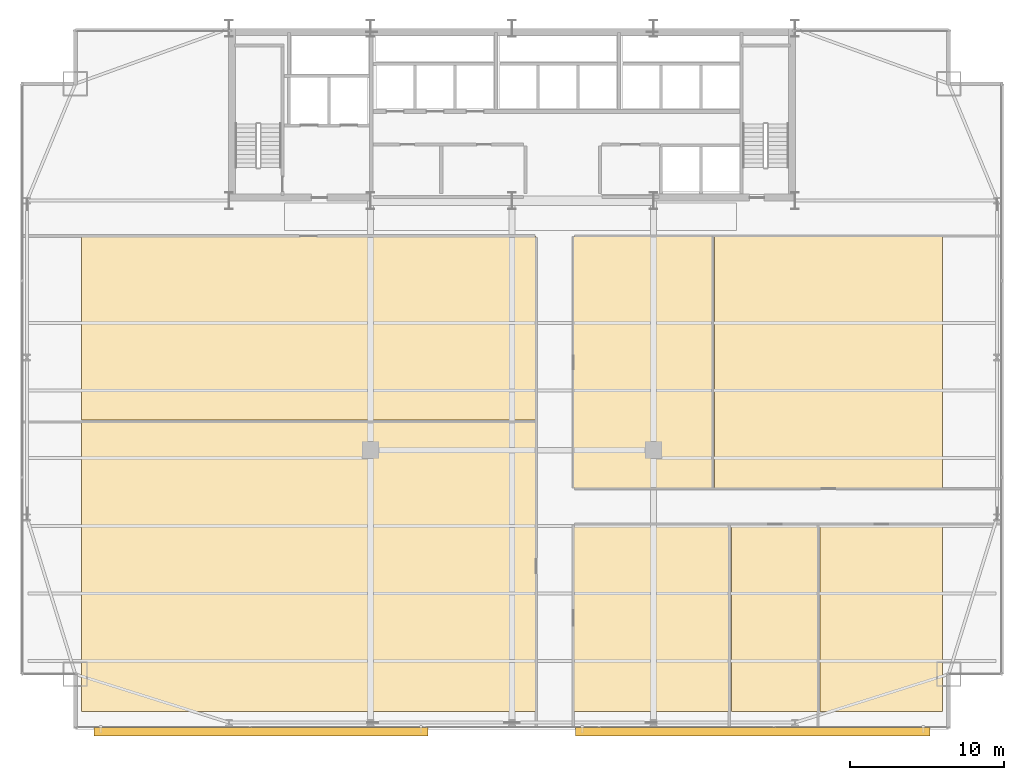
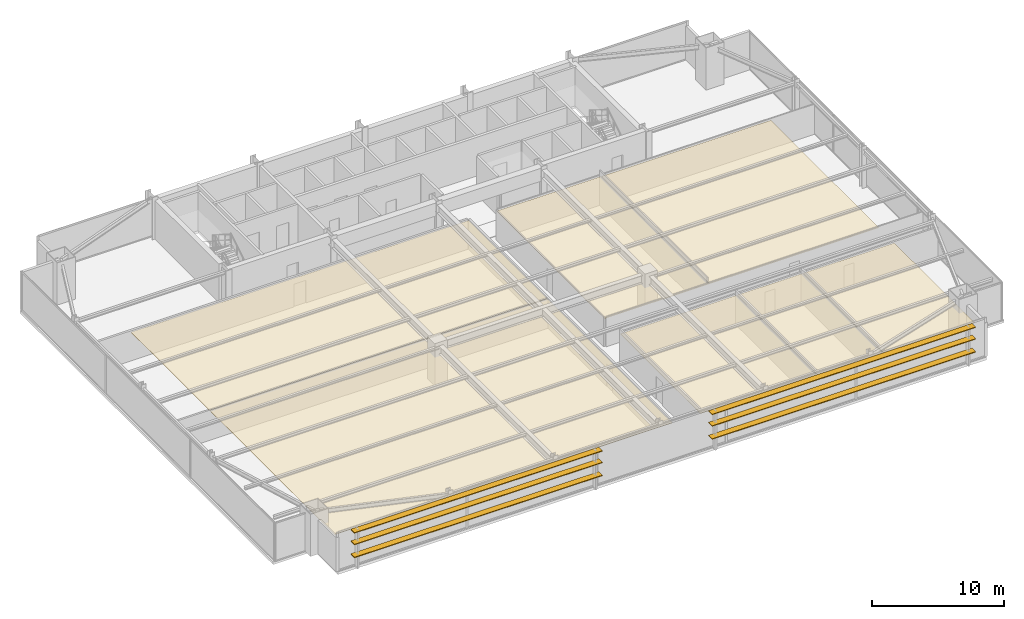
# One storey, part 31 of 32: 7 coverings, 6 shading devices.
"""IFC4 building model written with IfcOpenShell, lengths in metres."""

import ifcopenshell
import ifcopenshell.guid

model = None  # the IFC model being written
_history = None  # IfcOwnerHistory: only IFC2X3 demands one
_inside = {}  # id of a spatial element -> (the spatial element, [elements in it])
_under = {}  # id of a project, library or spatial element -> (it, [spatial elements below it])
_declared = {}  # id of a project -> (the project, [libraries it declares])
_typed = {}  # id of a type object -> (the type object, [elements of that type])
_made_of = {}  # id of a material, layer set ... -> (it, [elements and type objects made of it])


def new_model(schema):
    """Start an empty IFC model of exactly this schema.

    Asked for "IFC4X3", IfcOpenShell would pick the latest addendum, in which some entities
    have other attributes; the version numbers below select the first issue.
    IFC2X3 requires an IfcOwnerHistory on every rooted entity: one is made here for all.
    """
    global model, _history
    if schema == "IFC4X3":
        model = ifcopenshell.file(schema_version=(4, 3, 0, 0))
    else:
        model = ifcopenshell.file(schema=schema)
    _inside.clear()
    _under.clear()
    _declared.clear()
    _typed.clear()
    _made_of.clear()
    _history = None
    if model.schema == "IFC2X3":
        org = make("IfcOrganization", Name="unknown")
        user = make(
            "IfcPersonAndOrganization",
            ThePerson=make("IfcPerson", FamilyName="unknown"),
            TheOrganization=org,
        )
        app = make(
            "IfcApplication",
            ApplicationDeveloper=org,
            Version="unknown",
            ApplicationFullName="unknown",
            ApplicationIdentifier="unknown",
        )
        _history = make(
            "IfcOwnerHistory",
            OwningUser=user,
            OwningApplication=app,
            ChangeAction="ADDED",
            CreationDate=0,
        )
    return model


def make(cls, **values):
    """One entity of the class cls with the attributes given. An attribute that is None is left unset."""
    return model.create_entity(
        cls, **{name: value for name, value in values.items() if value is not None}
    )


def rooted(cls, **values):
    """An entity with a GlobalId (a new one), such as an element, a storey or a relation."""
    return make(cls, GlobalId=ifcopenshell.guid.new(), OwnerHistory=_history, **values)


def si_unit(unit_type, name, prefix=None):
    """IfcSIUnit, for example si_unit("LENGTHUNIT", "METRE", prefix="MILLI")."""
    return make("IfcSIUnit", UnitType=unit_type, Prefix=prefix, Name=name)


def assignment(units):
    """IfcUnitAssignment: the units of a project."""
    return None if units is None else make("IfcUnitAssignment", Units=units)


def point(xyz):
    """IfcCartesianPoint."""
    return None if xyz is None else make("IfcCartesianPoint", Coordinates=xyz)


def direction(xyz):
    """IfcDirection."""
    return None if xyz is None else make("IfcDirection", DirectionRatios=xyz)


def frame(location, z_axis=None, x_axis=None):
    """IfcAxis2Placement3D, a coordinate frame: its origin and axes. An axis left out is left unset."""
    return make(
        "IfcAxis2Placement3D",
        Location=point(location),
        Axis=direction(z_axis),
        RefDirection=direction(x_axis),
    )


def frame_2d(location, x_axis=None):
    """IfcAxis2Placement2D, a coordinate frame in the plane: its origin and x axis."""
    return make(
        "IfcAxis2Placement2D", Location=point(location), RefDirection=direction(x_axis)
    )


def origin():
    """The frame at (0, 0, 0) with its axes left unset."""
    return frame((0.0, 0.0, 0.0))


def origin_2d():
    """The frame at (0, 0) in the plane with its x axis left unset."""
    return frame_2d((0.0, 0.0))


def place(relative_to, where):
    """IfcLocalPlacement: puts the frame where relative to a parent placement (None: the world)."""
    return make(
        "IfcLocalPlacement", PlacementRelTo=relative_to, RelativePlacement=where
    )


def context(
    kind, dimensions, precision=None, world=None, true_north=None, identifier=None
):
    """IfcGeometricRepresentationContext, for example the 3D "Model" context."""
    return make(
        "IfcGeometricRepresentationContext",
        ContextIdentifier=identifier,
        ContextType=kind,
        CoordinateSpaceDimension=dimensions,
        Precision=precision,
        WorldCoordinateSystem=world,
        TrueNorth=true_north,
    )


def subcontext(parent, identifier, kind, view, scale=None):
    """IfcGeometricRepresentationSubContext, for example "Body" below "Model"."""
    return make(
        "IfcGeometricRepresentationSubContext",
        ContextIdentifier=identifier,
        ContextType=kind,
        ParentContext=parent,
        TargetScale=scale,
        TargetView=view,
    )


def project(units=None, contexts=None):
    """IfcProject with its units and contexts."""
    return rooted(
        "IfcProject",
        Name="project",
        RepresentationContexts=contexts,
        UnitsInContext=assignment(units),
    )


def spatial(cls, under=None, at=None, **own):
    """A site, building, storey or space (cls), placed at a placement, below another one or the project."""
    s = rooted(cls, ObjectPlacement=at, **own)
    if under is not None:
        _under.setdefault(under.id(), (under, []))[1].append(s)
    return s


def polyline(points):
    """IfcPolyline through the points."""
    return make("IfcPolyline", Points=[point(p) for p in points])


def profile(cls, at=None, kind="AREA", **sizes):
    """A parametric profile (cls). Its sizes go by their IFC names, for example OverallWidth=200.0."""
    return make(cls, ProfileType=kind, Position=at, **sizes)


def rectangle(**sizes):
    """IfcRectangleProfileDef."""
    return profile("IfcRectangleProfileDef", **sizes)


def outline(outer, holes=None, kind="AREA"):
    """IfcArbitraryClosedProfileDef: a profile drawn as a closed curve; with holes, ...WithVoids."""
    if holes is None:
        return make("IfcArbitraryClosedProfileDef", ProfileType=kind, OuterCurve=outer)
    return make(
        "IfcArbitraryProfileDefWithVoids",
        ProfileType=kind,
        OuterCurve=outer,
        InnerCurves=holes,
    )


def extrude(swept, where, along, depth):
    """IfcExtrudedAreaSolid: the profile swept, set in the frame where, extruded along a direction by depth."""
    return make(
        "IfcExtrudedAreaSolid",
        SweptArea=swept,
        Position=where,
        ExtrudedDirection=direction(along),
        Depth=depth,
    )


def shape(context_of_items, identifier, shape_type, items):
    """IfcShapeRepresentation: the items that make up one representation, for example the "Body"."""
    return make(
        "IfcShapeRepresentation",
        ContextOfItems=context_of_items,
        RepresentationIdentifier=identifier,
        RepresentationType=shape_type,
        Items=items,
    )


def source(mapping_origin, context_of_items, identifier, shape_type, items):
    """IfcRepresentationMap: a shape defined once, which mapped items show again and again."""
    return make(
        "IfcRepresentationMap",
        MappingOrigin=mapping_origin,
        MappedRepresentation=shape(context_of_items, identifier, shape_type, items),
    )


def transform(
    local_origin,
    x_axis=None,
    y_axis=None,
    z_axis=None,
    scale=None,
    scale2=None,
    scale3=None,
    uniform=True,
):
    """IfcCartesianTransformationOperator3D, or its non-uniform kind. x_axis, y_axis, z_axis: its Axis1, 2, 3."""
    if uniform:
        return make(
            "IfcCartesianTransformationOperator3D",
            Axis1=direction(x_axis),
            Axis2=direction(y_axis),
            LocalOrigin=point(local_origin),
            Scale=scale,
            Axis3=direction(z_axis),
        )
    return make(
        "IfcCartesianTransformationOperator3DnonUniform",
        Axis1=direction(x_axis),
        Axis2=direction(y_axis),
        LocalOrigin=point(local_origin),
        Scale=scale,
        Axis3=direction(z_axis),
        Scale2=scale2,
        Scale3=scale3,
    )


def mapped(mapping_source, mapping_target):
    """IfcMappedItem: shows the shape of a source again, moved by a transform."""
    return make(
        "IfcMappedItem", MappingSource=mapping_source, MappingTarget=mapping_target
    )


def material(Name=None, Category=None):
    """IfcMaterial."""
    return make("IfcMaterial", Name=Name, Category=Category)


def layer(
    of_material, thickness, ventilated=None, Name=None, Category=None, Priority=None
):
    """IfcMaterialLayer: one layer of a wall or slab, of a material (None: an air gap)."""
    return make(
        "IfcMaterialLayer",
        Material=of_material,
        LayerThickness=thickness,
        IsVentilated=ventilated,
        Name=Name,
        Category=Category,
        Priority=Priority,
    )


def layer_set(layers, Name=None):
    """IfcMaterialLayerSet."""
    return make("IfcMaterialLayerSet", MaterialLayers=layers, LayerSetName=Name)


def made_of(thing, what):
    """Note that an element or type object is made of a material, layer set ...; save() writes the relation."""
    if what is not None:
        _made_of.setdefault(what.id(), (what, []))[1].append(thing)
    return thing


def type_object(cls, material=None, **own):
    """A type object (cls), such as IfcWallType, which elements share."""
    return made_of(rooted(cls, **own), material)


def type_shapes(of_type, sources):
    """Give a type object the sources (RepresentationMaps) that its elements show as mapped items."""
    of_type.RepresentationMaps = sources


def element(
    cls,
    number,
    at=None,
    inside=None,
    cuts=None,
    type_object=None,
    material=None,
    context=None,
    identifier="Body",
    shape_type=None,
    held_by="IfcProductDefinitionShape",
    body=None,
    shapes=None,
    **own,
):
    """One element of the class cls, such as IfcWall. Its Tag is "e" and its number.

    at: its placement. inside: the storey or other place that contains it. cuts: it is an
    opening in that element (IfcRelVoidsElement). A single representation is given by context,
    identifier, shape_type and body (its items); several are given by shapes. held_by: the class
    of the entity that holds the representations. save() writes the other relations.
    """
    e = rooted(cls, Tag="e%d" % number, ObjectPlacement=at, **own)
    if body is not None:
        shapes = [shape(context, identifier, shape_type, body)]
    if shapes is not None:
        e.Representation = make(held_by, Representations=shapes)
    if inside is not None:
        _inside.setdefault(inside.id(), (inside, []))[1].append(e)
    if cuts is not None:
        rooted(
            "IfcRelVoidsElement", RelatingBuildingElement=cuts, RelatedOpeningElement=e
        )
    if type_object is not None:
        _typed.setdefault(type_object.id(), (type_object, []))[1].append(e)
    return made_of(e, material)


def aggregate(whole, parts):
    """IfcRelAggregates: a whole, such as a stair, and the parts it consists of."""
    return rooted("IfcRelAggregates", RelatingObject=whole, RelatedObjects=parts)


def save(model, path):
    """Write the relations noted so far, then the file.

    IfcRelAggregates (storeys below a building ...), IfcRelContainedInSpatialStructure (elements
    in a storey), IfcRelDefinesByType, IfcRelAssociatesMaterial and IfcRelDeclares: one each for
    every whole, place, type object, material and project.
    """
    for whole, parts in _under.values():
        aggregate(whole, parts)
    for where, things in _inside.values():
        rooted(
            "IfcRelContainedInSpatialStructure",
            RelatedElements=things,
            RelatingStructure=where,
        )
    for kind, things in _typed.values():
        rooted("IfcRelDefinesByType", RelatedObjects=things, RelatingType=kind)
    for what, things in _made_of.values():
        rooted("IfcRelAssociatesMaterial", RelatedObjects=things, RelatingMaterial=what)
    for by, libraries in _declared.values():
        rooted("IfcRelDeclares", RelatingContext=by, RelatedDefinitions=libraries)
    model.write(path)


model = new_model("IFC4")

# Units and contexts
model_context = context("Model", 3, precision=1e-05, world=origin(), true_north=direction((0.0, 1.0)))
body_context = subcontext(model_context, "Body", "Model", "MODEL_VIEW")
ifc_project = project(units=[si_unit("LENGTHUNIT", "METRE"), si_unit("AREAUNIT", "SQUARE_METRE"), si_unit("VOLUMEUNIT", "CUBIC_METRE"), si_unit("PLANEANGLEUNIT", "RADIAN"), si_unit("MASSUNIT", "GRAM", prefix="KILO")], contexts=[model_context])

# Site, building, storey
site_placement = place(None, origin())
site = spatial("IfcSite", under=ifc_project, at=site_placement, CompositionType="ELEMENT")
building_placement = place(site_placement, origin())
building = spatial("IfcBuilding", under=site, at=building_placement, Name="Varnel Quay Broadcast Tower", CompositionType="ELEMENT")
storey_placement = place(building_placement, frame((0.0, 0.0, 78.300048828125)))
storey = spatial("IfcBuildingStorey", under=building, at=storey_placement, Name="L18", CompositionType="ELEMENT", Elevation=78.300048828125)

# Coverings
ifc_material_1 = material(Name="Micro-Perforated Acoustic Ceiling Tile")
ifc_layer_1 = layer(ifc_material_1, 0.0400390625, Name="Micro-Perforated Acoustic Ceiling Tile")
ifc_layer_set_1 = layer_set([ifc_layer_1], Name="Micro-Perforated Acoustic Ceiling Tile")
covering_type = type_object("IfcCoveringType", Name="Cov_AcousticCeiling", PredefinedType="CEILING", material=ifc_layer_set_1)
covering_1_placement = place(storey_placement, frame((0.0, 0.0, 2.579833984375)))
element("IfcCovering", 1, at=covering_1_placement, inside=storey, type_object=covering_type, Name="L18 Color Timing Suite 1 Acoustic Ceiling", PredefinedType="CEILING", context=body_context, shape_type="SweptSolid", body=[
    extrude(outline(polyline([(5.985107421875, 2.375), (35.544921875, 2.375), (35.544921875, 21.27490234375), (5.985107421875, 21.27490234375), (5.985107421875, 2.375)])), origin(), (0.0, 0.0, 1.0), 0.0400390625),
])
covering_2_placement = place(storey_placement, frame((0.0, 0.0, 2.579833984375)))
element("IfcCovering", 2, at=covering_2_placement, inside=storey, type_object=covering_type, Name="L18 Screening Meeting Room 2 Acoustic Ceiling", PredefinedType="CEILING", context=body_context, shape_type="SweptSolid", body=[
    extrude(outline(polyline([(5.985107421875, 21.344970703125), (35.544921875, 21.344970703125), (35.544921875, 33.264892578125), (5.985107421875, 33.264892578125), (5.985107421875, 21.344970703125)])), origin(), (0.0, 0.0, 1.0), 0.0400390625),
])
covering_3_placement = place(storey_placement, frame((0.0, 0.0, 2.579833984375)))
element("IfcCovering", 3, at=covering_3_placement, inside=storey, type_object=covering_type, Name="L18 Producer Lounge 3 Acoustic Ceiling", PredefinedType="CEILING", context=body_context, shape_type="SweptSolid", body=[
    extrude(outline(polyline([(38.014892578125, 2.375), (48.195068359375, 2.375), (48.195068359375, 14.52490234375), (38.014892578125, 14.52490234375), (38.014892578125, 2.375)])), origin(), (0.0, 0.0, 1.0), 0.0400390625),
])
covering_4_placement = place(storey_placement, frame((0.0, 0.0, 2.579833984375)))
element("IfcCovering", 4, at=covering_4_placement, inside=storey, type_object=covering_type, Name="L18 Tea Kitchen 4 Acoustic Ceiling", PredefinedType="CEILING", context=body_context, shape_type="SweptSolid", body=[
    extrude(outline(polyline([(48.264892578125, 2.375), (53.965087890625, 2.375), (53.965087890625, 14.52490234375), (48.264892578125, 14.52490234375), (48.264892578125, 2.375)])), origin(), (0.0, 0.0, 1.0), 0.0400390625),
])
covering_5_placement = place(storey_placement, frame((0.0, 0.0, 2.579833984375)))
element("IfcCovering", 5, at=covering_5_placement, inside=storey, type_object=covering_type, Name="L18 Media Tape Archive Store 5 Acoustic Ceiling", PredefinedType="CEILING", context=body_context, shape_type="SweptSolid", body=[
    extrude(outline(polyline([(54.034912109375, 2.375), (62.014892578125, 2.375), (62.014892578125, 14.52490234375), (54.034912109375, 14.52490234375), (54.034912109375, 2.375)])), origin(), (0.0, 0.0, 1.0), 0.0400390625),
])
covering_6_placement = place(storey_placement, frame((0.0, 0.0, 2.579833984375)))
element("IfcCovering", 6, at=covering_6_placement, inside=storey, type_object=covering_type, Name="L18 Lens & Rigging Store 6 Acoustic Ceiling", PredefinedType="CEILING", context=body_context, shape_type="SweptSolid", body=[
    extrude(outline(polyline([(38.014892578125, 16.89501953125), (47.114990234375, 16.89501953125), (47.114990234375, 33.264892578125), (38.014892578125, 33.264892578125), (38.014892578125, 16.89501953125)])), origin(), (0.0, 0.0, 1.0), 0.0400390625),
])
covering_7_placement = place(storey_placement, frame((0.0, 0.0, 2.579833984375)))
element("IfcCovering", 7, at=covering_7_placement, inside=storey, type_object=covering_type, Name="L18 Ingest Vault Store 7 Acoustic Ceiling", PredefinedType="CEILING", context=body_context, shape_type="SweptSolid", body=[
    extrude(outline(polyline([(47.18505859375, 16.89501953125), (62.014892578125, 16.89501953125), (62.014892578125, 33.264892578125), (47.18505859375, 33.264892578125), (47.18505859375, 16.89501953125)])), origin(), (0.0, 0.0, 1.0), 0.0400390625),
])

# Shading devices
ifc_material_2 = material(Name="Bronze-Terracotta Extruded Ceramic Blade", Category="masonry")
ifc_layer_2 = layer(ifc_material_2, 0.06494140625, Name="Bronze-Terracotta Extruded Ceramic Blade")
ifc_layer_set_2 = layer_set([ifc_layer_2], Name="Bronze-Terracotta Extruded Ceramic Blade")
shading_device_type = type_object("IfcShadingDeviceType", Name="Shade_LouvreBlade550", PredefinedType="JALOUSIE", material=ifc_layer_set_2)
shared_shape_1 = source(origin(), body_context, "Body", "SweptSolid", [
    extrude(rectangle(XDim=23.069091796875, YDim=0.550048828125, at=origin_2d()), origin(), (0.0, 0.0, 1.0), 0.06494140625),
])
for number, where, z_axis, x_axis, name in (
    (8, (49.666015625, 1.06005859375, 1.117431640625), (0.0, 0.0, 1.0), (1.0, 0.0, 0.0), "L18 Lobe 2 Horizontal Louvre Blade 1"),
    (9, (49.666015625, 1.06005859375, 2.3173828125), (0.0, 0.0, 1.0), (1.0, 0.0, 0.0), "L18 Lobe 2 Horizontal Louvre Blade 2"),
    (10, (49.666015625, 1.06005859375, 3.387451171875), (0.0, 0.0, 1.0), (1.0, 0.0, 0.0), "L18 Lobe 2 Horizontal Louvre Blade 3"),
):
    element("IfcShadingDevice", number, at=place(storey_placement, frame(where, z_axis=z_axis, x_axis=x_axis)), inside=storey, type_object=shading_device_type, Name=name, PredefinedType="JALOUSIE", context=body_context, shape_type="MappedRepresentation", body=[
        mapped(shared_shape_1, transform((0.0, 0.0, 0.0), x_axis=(1.0, 0.0, 0.0), y_axis=(0.0, 1.0, 0.0), z_axis=(0.0, 0.0, 1.0), scale=1.0)),
    ])
shared_shape_2 = source(origin(), body_context, "Body", "SweptSolid", [
    extrude(rectangle(XDim=21.73095703125, YDim=0.550048828125, at=origin_2d()), origin(), (0.0, 0.0, 1.0), 0.06494140625),
])
type_shapes(shading_device_type, [shared_shape_1, shared_shape_2])
for number, where, z_axis, x_axis, name in (
    (11, (17.6650390625, 1.06005859375, 1.117431640625), (0.0, 0.0, 1.0), (1.0, 0.0, 0.0), "L18 Lobe 1 Horizontal Louvre Blade 1"),
    (12, (17.6650390625, 1.06005859375, 2.3173828125), (0.0, 0.0, 1.0), (1.0, 0.0, 0.0), "L18 Lobe 1 Horizontal Louvre Blade 2"),
    (13, (17.6650390625, 1.06005859375, 3.387451171875), (0.0, 0.0, 1.0), (1.0, 0.0, 0.0), "L18 Lobe 1 Horizontal Louvre Blade 3"),
):
    element("IfcShadingDevice", number, at=place(storey_placement, frame(where, z_axis=z_axis, x_axis=x_axis)), inside=storey, type_object=shading_device_type, Name=name, PredefinedType="JALOUSIE", context=body_context, shape_type="MappedRepresentation", body=[
        mapped(shared_shape_2, transform((0.0, 0.0, 0.0), x_axis=(1.0, 0.0, 0.0), y_axis=(0.0, 1.0, 0.0), z_axis=(0.0, 0.0, 1.0), scale=1.0)),
    ])

save(model, "model.ifc")
